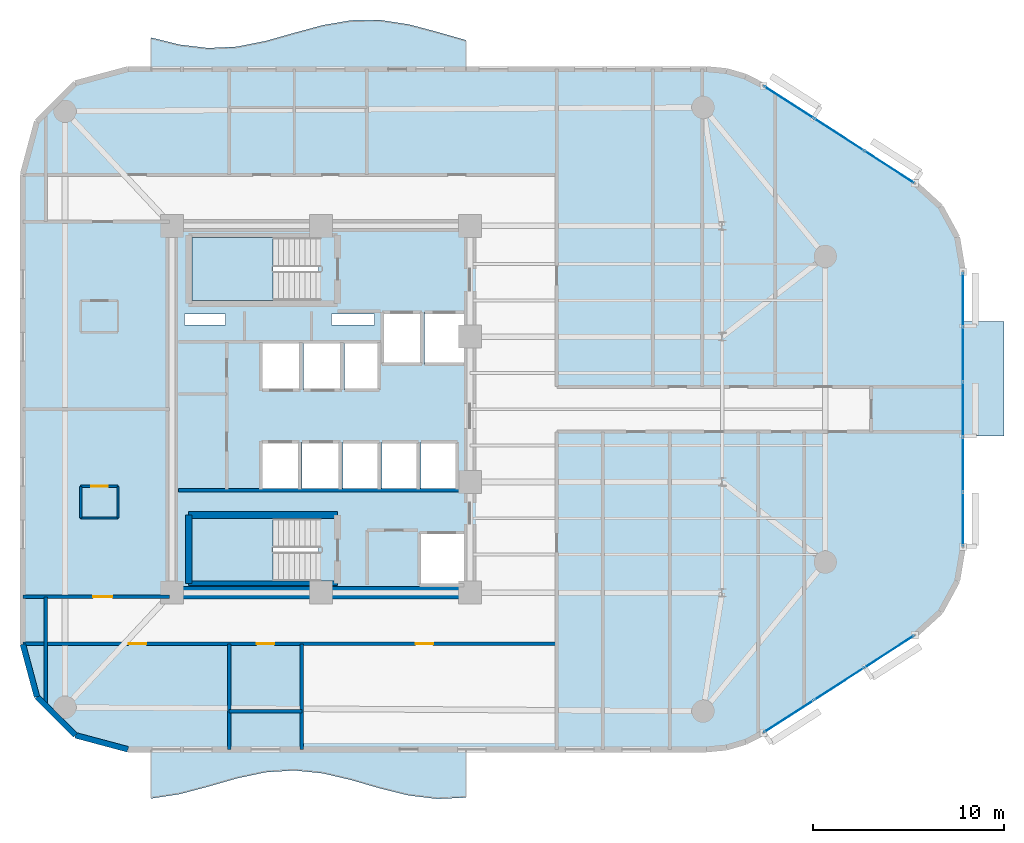
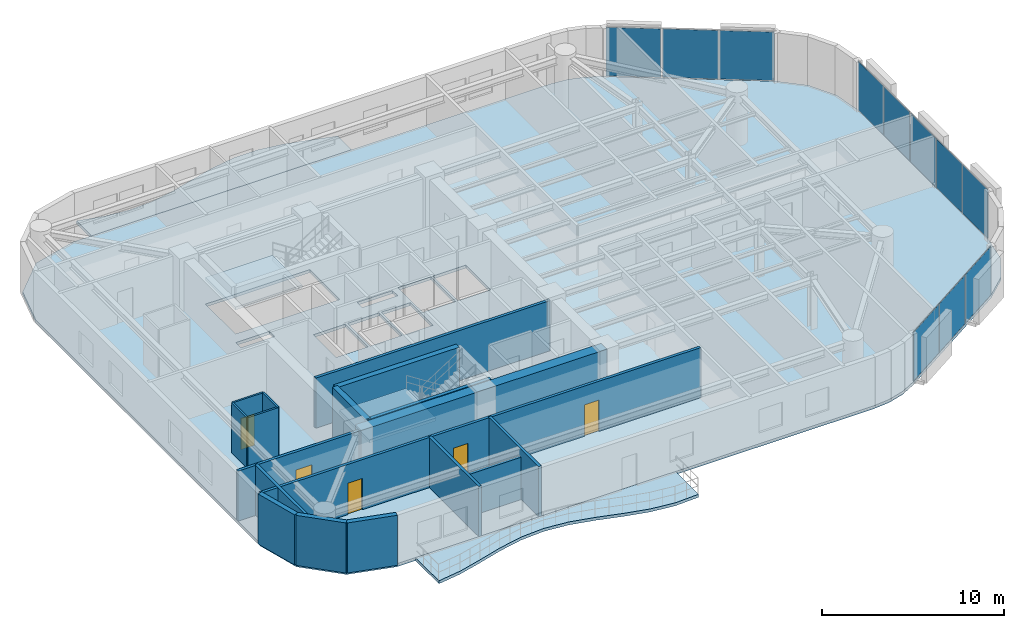
# One storey, part 9 of 15: 18 walls, 11 plates, 6 slabs, 5 doors, 5 openings, 5 elements without a shape of their own.
"""IFC4 building model written with IfcOpenShell, lengths in metres."""

from ifc_helpers import new_model, si_unit, direction, frame, frame_2d, origin, origin_2d, place, context, subcontext, project, spatial, polyline, rectangle, outline, extrude, material, layer, layer_set, type_object, element, fill, aggregate, save


model = new_model("IFC4")

# Units and contexts
model_context = context("Model", 3, precision=1e-05, world=origin(), true_north=direction((0.0, 1.0)))
body_context = subcontext(model_context, "Body", "Model", "MODEL_VIEW")
ifc_project = project(units=[si_unit("LENGTHUNIT", "METRE"), si_unit("AREAUNIT", "SQUARE_METRE"), si_unit("VOLUMEUNIT", "CUBIC_METRE"), si_unit("PLANEANGLEUNIT", "RADIAN"), si_unit("MASSUNIT", "GRAM", prefix="KILO")], contexts=[model_context])

# Site, building, storey
site_placement = place(None, origin())
site = spatial("IfcSite", under=ifc_project, at=site_placement, CompositionType="ELEMENT")
building_placement = place(site_placement, origin())
building = spatial("IfcBuilding", under=site, at=building_placement, Name="An Khanh Terracotta Commons", CompositionType="ELEMENT")
storey_placement = place(building_placement, frame((0.0, 0.0, 187.0)))
storey = spatial("IfcBuildingStorey", under=building, at=storey_placement, Name="L49", CompositionType="ELEMENT", Elevation=187.0)

# Curtain wall, plates
ifc_material_1 = material(Name="Anodised Aluminium 6063-T6", Category="aluminium")
ifc_layer_1 = layer(ifc_material_1, 0.2099609375, Name="Anodised Aluminium 6063-T6")
ifc_layer_set_1 = layer_set([ifc_layer_1], Name="Anodised Aluminium 6063-T6")
curtain_wall_type = type_object("IfcCurtainWallType", Name="CW-SYS-03", PredefinedType="USERDEFINED", material=ifc_layer_set_1)
curtain_wall_1_placement = place(storey_placement, origin())
curtain_wall_1 = element("IfcCurtainWall", 1, at=curtain_wall_1_placement, inside=storey, type_object=curtain_wall_type, Name="L49 CW-03 Unitised Curtain Wall CW-L49-08", ObjectType="UNITISED CURTAIN WALL", PredefinedType="USERDEFINED")
ifc_material_2 = material(Name="Acoustic Laminated Low-E Glazing", Category="glass")
ifc_layer_2 = layer(ifc_material_2, 0.035888671875, Name="Acoustic Laminated Low-E Glazing")
ifc_layer_set_2 = layer_set([ifc_layer_2], Name="Acoustic Laminated Low-E Glazing")
plate_type = type_object("IfcPlateType", Name="CWP-IGU-36", PredefinedType="CURTAIN_PANEL", material=ifc_layer_set_2)
plate_1_placement = place(storey_placement, frame((53.894287109375, 7.935546875, 0.0498046875), z_axis=(0.0, 0.0, 1.0), x_axis=(0.840702081986, 0.541497931062, 0.0)))
plate_1 = element("IfcPlate", 2, at=plate_1_placement, type_object=plate_type, Name="CW-03 panel 1.1", PredefinedType="CURTAIN_PANEL", context=body_context, shape_type="SweptSolid", body=[
    extrude(rectangle(XDim=3.034423828125, YDim=0.035888671875, at=origin_2d()), origin(), (0.0, 0.0, 1.0), 3.260009765625),
])
plate_2_placement = place(storey_placement, frame((56.51904296875, 9.6259765625, 0.0498046875), z_axis=(0.0, 0.0, 1.0), x_axis=(0.840702081986, 0.541497931062, 0.0)))
plate_2 = element("IfcPlate", 3, at=plate_2_placement, type_object=plate_type, Name="CW-03 panel 2.1", PredefinedType="CURTAIN_PANEL", context=body_context, shape_type="SweptSolid", body=[
    extrude(rectangle(XDim=3.0693359375, YDim=0.035888671875, at=origin_2d()), origin(), (0.0, 0.0, 1.0), 3.260009765625),
])
plate_3_placement = place(storey_placement, frame((59.1435546875, 11.31640625, 0.0498046875), z_axis=(0.0, 0.0, 1.0), x_axis=(0.840702081986, 0.541497931062, 0.0)))
plate_3 = element("IfcPlate", 4, at=plate_3_placement, type_object=plate_type, Name="CW-03 panel 3.1", PredefinedType="CURTAIN_PANEL", context=body_context, shape_type="SweptSolid", body=[
    extrude(rectangle(XDim=3.034423828125, YDim=0.035888671875, at=origin_2d()), origin(), (0.0, 0.0, 1.0), 3.260009765625),
])
aggregate(curtain_wall_1, [plate_1, plate_2, plate_3])

curtain_wall_2_placement = place(storey_placement, origin())
curtain_wall_2 = element("IfcCurtainWall", 5, at=curtain_wall_2_placement, inside=storey, type_object=curtain_wall_type, Name="L49 CW-03 Unitised Curtain Wall CW-L49-12", ObjectType="UNITISED CURTAIN WALL", PredefinedType="USERDEFINED")
plate_4_placement = place(storey_placement, frame((63.0, 18.257568359375, 0.0498046875), z_axis=(0.0, 0.0, 1.0), x_axis=(0.0, 1.0, 0.0)))
plate_4 = element("IfcPlate", 6, at=plate_4_placement, type_object=plate_type, Name="CW-03 panel 1.1", PredefinedType="CURTAIN_PANEL", context=body_context, shape_type="SweptSolid", body=[
    extrude(rectangle(XDim=2.77490234375, YDim=0.035888671875, at=origin_2d()), origin(), (0.0, 0.0, 1.0), 3.260009765625),
])
plate_5_placement = place(storey_placement, frame((63.0, 21.1201171875, 0.0498046875), z_axis=(0.0, 0.0, 1.0), x_axis=(0.0, 1.0, 0.0)))
plate_5 = element("IfcPlate", 7, at=plate_5_placement, type_object=plate_type, Name="CW-03 panel 2.1", PredefinedType="CURTAIN_PANEL", context=body_context, shape_type="SweptSolid", body=[
    extrude(rectangle(XDim=2.81005859375, YDim=0.035888671875, at=origin_2d()), origin(), (0.0, 0.0, 1.0), 3.260009765625),
])
plate_6_placement = place(storey_placement, frame((63.0, 24.0, 0.0498046875), z_axis=(0.0, 0.0, 1.0), x_axis=(0.0, 1.0, 0.0)))
plate_6 = element("IfcPlate", 8, at=plate_6_placement, type_object=plate_type, Name="CW-03 panel 3.1", PredefinedType="CURTAIN_PANEL", context=body_context, shape_type="SweptSolid", body=[
    extrude(rectangle(XDim=2.81005859375, YDim=0.035888671875, at=origin_2d()), origin(), (0.0, 0.0, 1.0), 3.260009765625),
])
plate_7_placement = place(storey_placement, frame((63.0, 26.8798828125, 0.0498046875), z_axis=(0.0, 0.0, 1.0), x_axis=(0.0, 1.0, 0.0)))
plate_7 = element("IfcPlate", 9, at=plate_7_placement, type_object=plate_type, Name="CW-03 panel 4.1", PredefinedType="CURTAIN_PANEL", context=body_context, shape_type="SweptSolid", body=[
    extrude(rectangle(XDim=2.81005859375, YDim=0.035888671875, at=origin_2d()), origin(), (0.0, 0.0, 1.0), 3.260009765625),
])
plate_8_placement = place(storey_placement, frame((63.0, 29.742431640625, 0.0498046875), z_axis=(0.0, 0.0, 1.0), x_axis=(0.0, 1.0, 0.0)))
plate_8 = element("IfcPlate", 10, at=plate_8_placement, type_object=plate_type, Name="CW-03 panel 5.1", PredefinedType="CURTAIN_PANEL", context=body_context, shape_type="SweptSolid", body=[
    extrude(rectangle(XDim=2.77490234375, YDim=0.035888671875, at=origin_2d()), origin(), (0.0, 0.0, 1.0), 3.260009765625),
])
aggregate(curtain_wall_2, [plate_4, plate_5, plate_6, plate_7, plate_8])

curtain_wall_3_placement = place(storey_placement, origin())
curtain_wall_3 = element("IfcCurtainWall", 11, at=curtain_wall_3_placement, inside=storey, type_object=curtain_wall_type, Name="L49 CW-03 Unitised Curtain Wall CW-L49-16", ObjectType="UNITISED CURTAIN WALL", PredefinedType="USERDEFINED")
plate_9_placement = place(storey_placement, frame((59.1435546875, 36.68359375, 0.0498046875), z_axis=(0.0, 0.0, 1.0), x_axis=(-0.840702081986, 0.541497931062, 0.0)))
plate_9 = element("IfcPlate", 12, at=plate_9_placement, type_object=plate_type, Name="CW-03 panel 1.1", PredefinedType="CURTAIN_PANEL", context=body_context, shape_type="SweptSolid", body=[
    extrude(rectangle(XDim=3.034423828125, YDim=0.035888671875, at=origin_2d()), origin(), (0.0, 0.0, 1.0), 3.260009765625),
])
plate_10_placement = place(storey_placement, frame((56.51904296875, 38.3740234375, 0.0498046875), z_axis=(0.0, 0.0, 1.0), x_axis=(-0.840702081986, 0.541497931062, 0.0)))
plate_10 = element("IfcPlate", 13, at=plate_10_placement, type_object=plate_type, Name="CW-03 panel 2.1", PredefinedType="CURTAIN_PANEL", context=body_context, shape_type="SweptSolid", body=[
    extrude(rectangle(XDim=3.0693359375, YDim=0.035888671875, at=origin_2d()), origin(), (0.0, 0.0, 1.0), 3.260009765625),
])
plate_11_placement = place(storey_placement, frame((53.894287109375, 40.064453125, 0.0498046875), z_axis=(0.0, 0.0, 1.0), x_axis=(-0.840702081986, 0.541497931062, 0.0)))
plate_11 = element("IfcPlate", 14, at=plate_11_placement, type_object=plate_type, Name="CW-03 panel 3.1", PredefinedType="CURTAIN_PANEL", context=body_context, shape_type="SweptSolid", body=[
    extrude(rectangle(XDim=3.034423828125, YDim=0.035888671875, at=origin_2d()), origin(), (0.0, 0.0, 1.0), 3.260009765625),
])
aggregate(curtain_wall_3, [plate_9, plate_10, plate_11])

# Slabs
ifc_material_3 = material(Name="Concrete C40/50", Category="concrete")
ifc_layer_3 = layer(ifc_material_3, 0.199951171875, Name="Concrete C40/50")
ifc_layer_set_3 = layer_set([ifc_layer_3], Name="Concrete C40/50")
slab_type_1 = type_object("IfcSlabType", Name="SLAB-BALC-200", PredefinedType="FLOOR", material=ifc_layer_set_3)
slab_1_placement = place(storey_placement, frame((0.0, 0.0, -0.199951171875)))
element("IfcSlab", 15, at=slab_1_placement, inside=storey, type_object=slab_type_1, Name="L49 S Sinusoidal Wave Balcony Slab", PredefinedType="FLOOR", context=body_context, shape_type="SweptSolid", body=[
    extrude(outline(polyline([(20.5, 6.199951171875), (20.5, 3.6259765625), (22.0, 3.85498046875), (23.5, 4.251953125), (25.0, 4.681884765625), (26.5, 5.0), (28.0, 5.097900390625), (29.5, 4.945068359375), (31.0, 4.591064453125), (32.5, 4.156005859375), (34.0, 3.785888671875), (35.5, 3.60595703125), (37.0, 3.677001953125), (37.0, 6.199951171875), (20.5, 6.199951171875)])), origin(), (0.0, 0.0, 1.0), 0.199951171875),
])
slab_2_placement = place(storey_placement, frame((0.0, 0.0, -0.199951171875)))
element("IfcSlab", 16, at=slab_2_placement, inside=storey, type_object=slab_type_1, Name="L49 N Sinusoidal Wave Balcony Slab", PredefinedType="FLOOR", context=body_context, shape_type="SweptSolid", body=[
    extrude(outline(polyline([(37.0, 41.800048828125), (37.0, 43.318115234375), (35.5, 43.748046875), (34.0, 44.14501953125), (32.5, 44.3740234375), (31.0, 44.360107421875), (29.5, 44.10693359375), (28.0, 43.698974609375), (26.5, 43.27490234375), (25.0, 42.97705078125), (23.5, 42.906005859375), (22.0, 43.0859375), (20.5, 43.4560546875), (20.5, 41.800048828125), (37.0, 41.800048828125)])), origin(), (0.0, 0.0, 1.0), 0.199951171875),
])
ifc_layer_4 = layer(ifc_material_3, 0.22998046875, Name="Concrete C40/50")
ifc_layer_set_4 = layer_set([ifc_layer_4], Name="Concrete C40/50")
slab_type_2 = type_object("IfcSlabType", Name="SLAB-BOXROOF-230", PredefinedType="ROOF", material=ifc_layer_set_4)
slab_3_placement = place(storey_placement, frame((0.0, 0.0, -0.199951171875)))
element("IfcSlab", 17, at=slab_3_placement, inside=storey, type_object=slab_type_2, Name="L49 Shifted Social Kitchen Box Closing Roof Slab (L48)", PredefinedType="ROOF", context=body_context, shape_type="SweptSolid", body=[
    extrude(outline(polyline([(63.0, 22.60009765625), (65.14990234375, 22.60009765625), (65.14990234375, 28.60009765625), (63.0, 28.60009765625), (63.0, 22.60009765625)])), origin(), (0.0, 0.0, 1.0), 0.199951171875),
])

# Stair, slab
ifc_material_4 = material(Name="Precast concrete C40/50", Category="concrete")
stair_type = type_object("IfcStairType", Name="STAIR-CORE-1550", PredefinedType="HALF_TURN_STAIR", material=ifc_material_4)
stair_1_placement = place(storey_placement, origin())
stair_1 = element("IfcStair", 18, at=stair_1_placement, inside=storey, type_object=stair_type, Name="L49 Core Smokeproof Exit Stair ST-01", PredefinedType="HALF_TURN_STAIR")
ifc_layer_5 = layer(ifc_material_3, 0.18994140625, Name="Concrete C40/50")
ifc_layer_set_5 = layer_set([ifc_layer_5], Name="Concrete C40/50")
slab_type_3 = type_object("IfcSlabType", Name="SLAB-LANDING-190", PredefinedType="LANDING", material=ifc_layer_set_5)
slab_4_placement = place(storey_placement, frame((0.0, 0.0, 1.60009765625)))
slab_4 = element("IfcSlab", 19, at=slab_4_placement, type_object=slab_type_3, Name="ST-01 landing 1", PredefinedType="LANDING", context=body_context, shape_type="SweptSolid", body=[
    extrude(outline(polyline([(26.889892578125, 33.0), (22.64990234375, 33.0), (22.64990234375, 29.699951171875), (26.889892578125, 29.699951171875), (26.889892578125, 33.0)])), origin(), (0.0, 0.0, 1.0), 0.199951171875),
])
aggregate(stair_1, [slab_4])

stair_2_placement = place(storey_placement, origin())
stair_2 = element("IfcStair", 20, at=stair_2_placement, inside=storey, type_object=stair_type, Name="L49 Core Smokeproof Exit Stair ST-02", PredefinedType="HALF_TURN_STAIR")
slab_5_placement = place(storey_placement, frame((0.0, 0.0, 1.60009765625)))
slab_5 = element("IfcSlab", 21, at=slab_5_placement, type_object=slab_type_3, Name="ST-02 landing 1", PredefinedType="LANDING", context=body_context, shape_type="SweptSolid", body=[
    extrude(outline(polyline([(26.889892578125, 18.300048828125), (22.64990234375, 18.300048828125), (22.64990234375, 15.0), (26.889892578125, 15.0), (26.889892578125, 18.300048828125)])), origin(), (0.0, 0.0, 1.0), 0.199951171875),
])
aggregate(stair_2, [slab_5])

# Slab
ifc_layer_6 = layer(ifc_material_3, 0.199951171875, Name="Concrete C40/50")
ifc_layer_set_6 = layer_set([ifc_layer_6], Name="Concrete C40/50")
slab_type_4 = type_object("IfcSlabType", Name="SLAB-TYP-200", PredefinedType="FLOOR", material=ifc_layer_set_6)
slab_6_placement = place(storey_placement, frame((0.0, 0.0, -0.199951171875)))
element("IfcSlab", 22, at=slab_6_placement, inside=storey, type_object=slab_type_4, Name="L49 Structural Floor Slab", PredefinedType="FLOOR", context=body_context, shape_type="SweptSolid", body=[
    extrude(outline(polyline([(13.800048828125, 11.699951171875), (14.537109375, 8.949951171875), (16.550048828125, 6.93701171875), (19.300048828125, 6.199951171875), (49.58203125, 6.199951171875), (50.625, 6.300048828125), (51.6298828125, 6.594970703125), (52.56005859375, 7.075927734375), (60.47802734375, 12.176025390625), (61.825927734375, 13.403076171875), (62.697998046875, 15.0029296875), (63.0, 16.800048828125), (63.0, 31.199951171875), (62.697998046875, 32.9970703125), (61.825927734375, 34.596923828125), (60.47802734375, 35.823974609375), (52.56005859375, 40.924072265625), (51.6298828125, 41.405029296875), (50.625, 41.699951171875), (49.58203125, 41.800048828125), (19.300048828125, 41.800048828125), (16.550048828125, 41.06298828125), (14.537109375, 39.050048828125), (13.800048828125, 36.300048828125), (13.800048828125, 11.699951171875)]), holes=[polyline([(22.64990234375, 29.699951171875), (29.27001953125, 29.699951171875), (29.27001953125, 33.0), (22.64990234375, 33.0), (22.64990234375, 29.699951171875)]), polyline([(22.64990234375, 15.0), (29.27001953125, 15.0), (29.27001953125, 18.300048828125), (22.64990234375, 18.300048828125), (22.64990234375, 15.0)]), polyline([(32.60009765625, 26.35009765625), (34.679931640625, 26.35009765625), (34.679931640625, 29.080078125), (32.60009765625, 29.080078125), (32.60009765625, 26.35009765625)]), polyline([(34.820068359375, 26.35009765625), (36.89990234375, 26.35009765625), (36.89990234375, 29.080078125), (34.820068359375, 29.080078125), (34.820068359375, 26.35009765625)]), polyline([(34.550048828125, 14.800048828125), (36.89990234375, 14.800048828125), (36.89990234375, 17.550048828125), (34.550048828125, 17.550048828125), (34.550048828125, 14.800048828125)]), polyline([(26.320068359375, 25.0), (28.340087890625, 25.0), (28.340087890625, 27.5), (26.320068359375, 27.5), (26.320068359375, 25.0)]), polyline([(28.47998046875, 25.0), (30.5, 25.0), (30.5, 27.5), (28.47998046875, 27.5), (28.47998046875, 25.0)]), polyline([(26.280029296875, 19.800048828125), (28.280029296875, 19.800048828125), (28.280029296875, 22.300048828125), (26.280029296875, 22.300048828125), (26.280029296875, 19.800048828125)]), polyline([(28.419921875, 19.800048828125), (30.419921875, 19.800048828125), (30.419921875, 22.300048828125), (28.419921875, 22.300048828125), (28.419921875, 19.800048828125)]), polyline([(30.639892578125, 25.0), (32.4599609375, 25.0), (32.4599609375, 27.5), (30.639892578125, 27.5), (30.639892578125, 25.0)]), polyline([(30.56005859375, 19.800048828125), (32.4599609375, 19.800048828125), (32.4599609375, 22.300048828125), (30.56005859375, 22.300048828125), (30.56005859375, 19.800048828125)]), polyline([(32.60009765625, 19.800048828125), (34.5, 19.800048828125), (34.5, 22.300048828125), (32.60009765625, 22.300048828125), (32.60009765625, 19.800048828125)]), polyline([(34.639892578125, 19.800048828125), (36.5400390625, 19.800048828125), (36.5400390625, 22.300048828125), (34.639892578125, 22.300048828125), (34.639892578125, 19.800048828125)]), polyline([(22.25, 28.419921875), (24.39990234375, 28.419921875), (24.39990234375, 28.97998046875), (22.25, 28.97998046875), (22.25, 28.419921875)]), polyline([(29.949951171875, 28.419921875), (32.199951171875, 28.419921875), (32.199951171875, 28.97998046875), (29.949951171875, 28.97998046875), (29.949951171875, 28.419921875)])]), origin(), (0.0, 0.0, 1.0), 0.199951171875),
])

# Walls
ifc_material_5 = material(Name="Concrete C60/75", Category="concrete")
ifc_layer_7 = layer(ifc_material_5, 0.64990234375, Name="Concrete C60/75")
ifc_layer_set_7 = layer_set([ifc_layer_7], Name="Concrete C60/75")
wall_type_1 = type_object("IfcWallType", Name="WALL-CORE-650", PredefinedType="SHEAR", material=ifc_layer_set_7)
wall_1_placement = place(storey_placement, frame((37.199951171875, 14.39990234375, 0.0), z_axis=(0.0, 0.0, 1.0), x_axis=(-1.0, 0.0, 0.0)))
element("IfcWall", 23, at=wall_1_placement, inside=storey, type_object=wall_type_1, Name="L49 Core Wall CWALL-L49-S", PredefinedType="SHEAR", context=body_context, shape_type="SweptSolid", body=[
    extrude(rectangle(XDim=15.599853515625, YDim=0.64990234375, at=frame_2d((7.7998046875, 0.0))), origin(), (0.0, 0.0, 1.0), 3.360107421875),
])
ifc_material_6 = material(Name="Fire-Rated Gypsum Board on Steel Stud", Category="steel")
ifc_layer_8 = layer(ifc_material_6, 0.179931640625, Name="Fire-Rated Gypsum Board on Steel Stud")
ifc_layer_set_8 = layer_set([ifc_layer_8], Name="Fire-Rated Gypsum Board on Steel Stud")
wall_type_2 = type_object("IfcWallType", Name="WALL-CORR-180", PredefinedType="PARTITIONING", material=ifc_layer_set_8)
wall_2_placement = place(storey_placement, frame((21.949951171875, 19.760009765625, 0.0), z_axis=(0.0, 0.0, 1.0), x_axis=(1.0, 0.0, 0.0)))
element("IfcWall", 24, at=wall_2_placement, inside=storey, type_object=wall_type_2, Name="L49 Core Wall SVW-L49-N", PredefinedType="PARTITIONING", context=body_context, shape_type="SweptSolid", body=[
    extrude(rectangle(XDim=14.8701171875, YDim=0.179931640625, at=frame_2d((7.43505859375, 0.0))), origin(), (0.0, 0.0, 1.0), 3.360107421875),
])
wall_3_placement = place(storey_placement, frame((24.60009765625, 8.199951171875, 0.0), z_axis=(0.0, 0.0, 1.0), x_axis=(1.0, 0.0, 0.0)))
element("IfcWall", 25, at=wall_3_placement, inside=storey, type_object=wall_type_2, Name="L49 Interior Partition IW-L49-E001", PredefinedType="PARTITIONING", context=body_context, shape_type="SweptSolid", body=[
    extrude(rectangle(XDim=3.7998046875, YDim=0.179931640625, at=frame_2d((1.89990234375, 0.0))), origin(), (0.0, 0.0, 1.0), 2.842041015625),
])

# Wall, openings, doors
wall_4_placement = place(storey_placement, frame((13.800048828125, 11.719970703125, 0.0), z_axis=(0.0, 0.0, 1.0), x_axis=(1.0, 0.0, 0.0)))
wall_4 = element("IfcWall", 26, at=wall_4_placement, inside=storey, type_object=wall_type_2, Name="L49 Interior Partition IW-L49-E002", PredefinedType="PARTITIONING", context=body_context, shape_type="SweptSolid", body=[
    extrude(rectangle(XDim=27.949951171875, YDim=0.179931640625, at=frame_2d((13.97509765625, 0.0))), origin(), (0.0, 0.0, 1.0), 3.360107421875),
])
opening_1_placement = place(wall_4_placement, frame((12.239990234375, 0.0, 0.0)))
opening_1 = element("IfcOpeningElement", 27, at=opening_1_placement, cuts=wall_4, Name="Opening D-RM", PredefinedType="OPENING", context=body_context, shape_type="SweptSolid", body=[
    extrude(rectangle(XDim=0.919921875, YDim=2.10009765625, at=frame_2d((0.4599609375, 1.050048828125))), frame((0.0, 0.099853515625, 0.0), z_axis=(0.0, -1.0, 0.0), x_axis=(1.0, 0.0, 0.0)), (0.0, 0.0, 1.0), 0.199951171875),
])
opening_2_placement = place(wall_4_placement, frame((5.5400390625, 0.0, 0.0)))
opening_2 = element("IfcOpeningElement", 28, at=opening_2_placement, cuts=wall_4, Name="Opening D-RM", PredefinedType="OPENING", context=body_context, shape_type="SweptSolid", body=[
    extrude(rectangle(XDim=0.919921875, YDim=2.10009765625, at=frame_2d((0.4599609375, 1.050048828125))), frame((0.0, 0.099853515625, 0.0), z_axis=(0.0, -1.0, 0.0), x_axis=(1.0, 0.0, 0.0)), (0.0, 0.0, 1.0), 0.199951171875),
])
opening_3_placement = place(wall_4_placement, frame((20.554931640625, 0.0, 0.0)))
opening_3 = element("IfcOpeningElement", 29, at=opening_3_placement, cuts=wall_4, Name="Opening D-RM", PredefinedType="OPENING", context=body_context, shape_type="SweptSolid", body=[
    extrude(rectangle(XDim=0.919921875, YDim=2.10009765625, at=frame_2d((0.4599609375, 1.050048828125))), frame((0.0, 0.099853515625, 0.0), z_axis=(0.0, -1.0, 0.0), x_axis=(1.0, 0.0, 0.0)), (0.0, 0.0, 1.0), 0.199951171875),
])
ifc_material_7 = material(Name="Engineered Hardwood Timber Leaf", Category="wood")
door_type_1 = type_object("IfcDoorType", Name="DOOR-INT-920", OperationType="NOTDEFINED", PredefinedType="DOOR", material=ifc_material_7)
door_1_placement = place(opening_1_placement, origin())
door_1 = element("IfcDoor", 30, at=door_1_placement, inside=storey, type_object=door_type_1, Name="L49 HKP Housekeeping Linen Store Door", OperationType="SINGLE_SWING_LEFT", OverallHeight=2.10009765625, OverallWidth=0.919921875, PredefinedType="DOOR", context=body_context, shape_type="SweptSolid", body=[
    extrude(rectangle(XDim=0.919921875, YDim=2.10009765625, at=frame_2d((0.4599609375, 1.050048828125))), frame((0.0, 0.02490234375, 0.0), z_axis=(0.0, -1.0, 0.0), x_axis=(1.0, 0.0, 0.0)), (0.0, 0.0, 1.0), 0.050048828125),
])
fill(opening_1, door_1)
door_2_placement = place(opening_2_placement, origin())
door_2 = element("IfcDoor", 31, at=door_2_placement, inside=storey, type_object=door_type_1, Name="L49 SW1 Communal Kitchen and Dining Door", OperationType="SINGLE_SWING_RIGHT", OverallHeight=2.10009765625, OverallWidth=0.919921875, PredefinedType="DOOR", context=body_context, shape_type="SweptSolid", body=[
    extrude(rectangle(XDim=0.919921875, YDim=2.10009765625, at=frame_2d((0.4599609375, 1.050048828125))), frame((0.0, 0.02490234375, 0.0), z_axis=(0.0, -1.0, 0.0), x_axis=(1.0, 0.0, 0.0)), (0.0, 0.0, 1.0), 0.050048828125),
])
fill(opening_2, door_2)
door_3_placement = place(opening_3_placement, origin())
door_3 = element("IfcDoor", 32, at=door_3_placement, inside=storey, type_object=door_type_1, Name="L49 SWE Music Lounge Door", OperationType="SINGLE_SWING_LEFT", OverallHeight=2.10009765625, OverallWidth=0.919921875, PredefinedType="DOOR", context=body_context, shape_type="SweptSolid", body=[
    extrude(rectangle(XDim=0.919921875, YDim=2.10009765625, at=frame_2d((0.4599609375, 1.050048828125))), frame((0.0, 0.02490234375, 0.0), z_axis=(0.0, -1.0, 0.0), x_axis=(1.0, 0.0, 0.0)), (0.0, 0.0, 1.0), 0.050048828125),
])
fill(opening_3, door_3)

# Wall, opening, door
wall_5_placement = place(storey_placement, frame((13.800048828125, 14.179931640625, 0.0), z_axis=(0.0, 0.0, 1.0), x_axis=(1.0, 0.0, 0.0)))
wall_5 = element("IfcWall", 33, at=wall_5_placement, inside=storey, type_object=wall_type_2, Name="L49 Interior Partition IW-L49-E003", PredefinedType="PARTITIONING", context=body_context, shape_type="SweptSolid", body=[
    extrude(rectangle(XDim=7.679931640625, YDim=0.179931640625, at=frame_2d((3.83984375, 0.0))), origin(), (0.0, 0.0, 1.0), 3.360107421875),
])
opening_4_placement = place(wall_5_placement, frame((3.679931640625, 0.0, 0.0)))
opening_4 = element("IfcOpeningElement", 34, at=opening_4_placement, cuts=wall_5, Name="Opening D-UN", PredefinedType="OPENING", context=body_context, shape_type="SweptSolid", body=[
    extrude(rectangle(XDim=1.0, YDim=2.14990234375, at=frame_2d((0.5, 1.074951171875))), frame((0.0, 0.099853515625, 0.0), z_axis=(0.0, -1.0, 0.0), x_axis=(1.0, 0.0, 0.0)), (0.0, 0.0, 1.0), 0.199951171875),
])
ifc_material_8 = material(Name="Solid-Core Hardwood Acoustic Fire Door", Category="wood")
door_type_2 = type_object("IfcDoorType", Name="DOOR-UNIT-1000", OperationType="NOTDEFINED", PredefinedType="DOOR", material=ifc_material_8)
door_4_placement = place(opening_4_placement, origin())
door_4 = element("IfcDoor", 35, at=door_4_placement, inside=storey, type_object=door_type_2, Name="L49 WW1 Kitchenette and Studio Apartment Door", OperationType="SINGLE_SWING_RIGHT", OverallHeight=2.14990234375, OverallWidth=1.0, PredefinedType="DOOR", context=body_context, shape_type="SweptSolid", body=[
    extrude(rectangle(XDim=1.0, YDim=2.14990234375, at=frame_2d((0.5, 1.074951171875))), frame((0.0, 0.02490234375, 0.0), z_axis=(0.0, -1.0, 0.0), x_axis=(1.0, 0.0, 0.0)), (0.0, 0.0, 1.0), 0.050048828125),
])
fill(opening_4, door_4)

# Walls
wall_6_placement = place(storey_placement, frame((15.0, 8.487060546875, 0.0), z_axis=(0.0, 0.0, 1.0), x_axis=(0.0, 1.0, 0.0)))
element("IfcWall", 36, at=wall_6_placement, inside=storey, type_object=wall_type_2, Name="L49 Interior Partition IW-L49-E010", PredefinedType="PARTITIONING", context=body_context, shape_type="SweptSolid", body=[
    extrude(rectangle(XDim=5.69287109375, YDim=0.179931640625, at=frame_2d((2.846435546875, 0.0))), origin(), (0.0, 0.0, 1.0), 3.360107421875),
])
for number, where, z_axis, x_axis, name in (
    (37, (24.60009765625, 6.199951171875, 0.0), (0.0, 0.0, 1.0), (0.0, 1.0, 0.0), "L49 Interior Partition IW-L49-E012"),
    (38, (28.39990234375, 6.199951171875, 0.0), (0.0, 0.0, 1.0), (0.0, 1.0, 0.0), "L49 Interior Partition IW-L49-E015"),
):
    element("IfcWall", number, at=place(storey_placement, frame(where, z_axis=z_axis, x_axis=x_axis)), inside=storey, type_object=wall_type_2, Name=name, PredefinedType="PARTITIONING", context=body_context, shape_type="SweptSolid", body=[
        extrude(rectangle(XDim=5.52001953125, YDim=0.179931640625, at=frame_2d((2.760009765625, 0.0))), origin(), (0.0, 0.0, 1.0), 3.360107421875),
    ])
ifc_layer_9 = layer(ifc_material_4, 0.300048828125, Name="Precast concrete C40/50")
ifc_layer_set_9 = layer_set([ifc_layer_9], Name="Precast concrete C40/50")
wall_type_3 = type_object("IfcWallType", Name="WALL-EXT-300", PredefinedType="SOLIDWALL", material=ifc_layer_set_9)
wall_7_placement = place(storey_placement, frame((13.800048828125, 11.699951171875, 0.0), z_axis=(0.0, 0.0, 1.0), x_axis=(0.258884674387, -0.965908238586, 0.0)))
element("IfcWall", 39, at=wall_7_placement, inside=storey, type_object=wall_type_3, Name="L49 Insulated Terracotta Exterior Wall 1", PredefinedType="SOLIDWALL", context=body_context, shape_type="SweptSolid", body=[
    extrude(rectangle(XDim=2.84716796875, YDim=0.300048828125, at=frame_2d((1.423583984375, 0.0))), origin(), (0.0, 0.0, 1.0), 3.360107421875),
])
wall_8_placement = place(storey_placement, frame((14.537109375, 8.949951171875, 0.0), z_axis=(0.0, 0.0, 1.0), x_axis=(0.707106781187, -0.707106781187, 0.0)))
element("IfcWall", 40, at=wall_8_placement, inside=storey, type_object=wall_type_3, Name="L49 Insulated Terracotta Exterior Wall 2", PredefinedType="SOLIDWALL", context=body_context, shape_type="SweptSolid", body=[
    extrude(rectangle(XDim=2.8466796875, YDim=0.300048828125, at=frame_2d((1.42333984375, 0.0))), origin(), (0.0, 0.0, 1.0), 3.360107421875),
])
wall_9_placement = place(storey_placement, frame((16.550048828125, 6.93701171875, 0.0), z_axis=(0.0, 0.0, 1.0), x_axis=(0.965908238586, -0.258884674387, 0.0)))
element("IfcWall", 41, at=wall_9_placement, inside=storey, type_object=wall_type_3, Name="L49 Insulated Terracotta Exterior Wall 3", PredefinedType="SOLIDWALL", context=body_context, shape_type="SweptSolid", body=[
    extrude(rectangle(XDim=2.84716796875, YDim=0.300048828125, at=frame_2d((1.423583984375, 0.0))), origin(), (0.0, 0.0, 1.0), 3.360107421875),
])
ifc_material_9 = material(Name="Acoustic Double-Stud Gypsum and Mineral Wool")
ifc_layer_10 = layer(ifc_material_9, 0.219970703125, Name="Acoustic Double-Stud Gypsum and Mineral Wool")
ifc_layer_set_10 = layer_set([ifc_layer_10], Name="Acoustic Double-Stud Gypsum and Mineral Wool")
wall_type_4 = type_object("IfcWallType", Name="WALL-PARTY-220", PredefinedType="PARTITIONING", material=ifc_layer_set_10)
wall_10_placement = place(storey_placement, frame((22.47998046875, 14.889892578125, 0.0), z_axis=(0.0, 0.0, 1.0), x_axis=(1.0, 0.0, 0.0)))
element("IfcWall", 42, at=wall_10_placement, inside=storey, type_object=wall_type_4, Name="L49 Core Wall STW-L49-S-S", PredefinedType="PARTITIONING", context=body_context, shape_type="SweptSolid", body=[
    extrude(rectangle(XDim=7.7900390625, YDim=0.219970703125, at=frame_2d((3.89501953125, 0.0))), origin(), (0.0, 0.0, 1.0), 3.360107421875),
])
ifc_material_10 = material(Name="Concrete C50/60", Category="concrete")
ifc_layer_11 = layer(ifc_material_10, 0.35009765625, Name="Concrete C50/60")
ifc_layer_set_11 = layer_set([ifc_layer_11], Name="Concrete C50/60")
wall_type_5 = type_object("IfcWallType", Name="WALL-SHAFT-350", PredefinedType="SOLIDWALL", material=ifc_layer_set_11)
wall_11_placement = place(storey_placement, frame((22.47998046875, 18.469970703125, 0.0), z_axis=(0.0, 0.0, 1.0), x_axis=(1.0, 0.0, 0.0)))
element("IfcWall", 43, at=wall_11_placement, inside=storey, type_object=wall_type_5, Name="L49 Core Wall STW-L49-S-N", PredefinedType="SOLIDWALL", context=body_context, shape_type="SweptSolid", body=[
    extrude(rectangle(XDim=7.7900390625, YDim=0.35009765625, at=frame_2d((3.89501953125, 0.0))), origin(), (0.0, 0.0, 1.0), 3.360107421875),
])
wall_12_placement = place(storey_placement, frame((22.47998046875, 14.889892578125, 0.0), z_axis=(0.0, 0.0, 1.0), x_axis=(0.0, 1.0, 0.0)))
element("IfcWall", 44, at=wall_12_placement, inside=storey, type_object=wall_type_5, Name="L49 Core Wall STW-L49-S-W", PredefinedType="SOLIDWALL", context=body_context, shape_type="SweptSolid", body=[
    extrude(rectangle(XDim=3.580078125, YDim=0.35009765625, at=frame_2d((1.7900390625, 0.0))), origin(), (0.0, 0.0, 1.0), 3.360107421875),
])

# Wall, opening, door
ifc_material_11 = material(Name="Moisture-Resistant Cement Board Partition")
ifc_layer_12 = layer(ifc_material_11, 0.1201171875, Name="Moisture-Resistant Cement Board Partition")
ifc_layer_set_12 = layer_set([ifc_layer_12], Name="Moisture-Resistant Cement Board Partition")
wall_type_6 = type_object("IfcWallType", Name="WALL-WET-120", PredefinedType="PARTITIONING", material=ifc_layer_set_12)
wall_13_placement = place(storey_placement, frame((16.824951171875, 19.965087890625, 0.0), z_axis=(0.0, 0.0, 1.0), x_axis=(1.0, 0.0, 0.0)))
wall_13 = element("IfcWall", 45, at=wall_13_placement, inside=storey, type_object=wall_type_6, Name="L49 Interior Partition IW-L49-WW1-BN", PredefinedType="PARTITIONING", context=body_context, shape_type="SweptSolid", body=[
    extrude(rectangle(XDim=1.949951171875, YDim=0.1201171875, at=frame_2d((0.97509765625, 0.0))), origin(), (0.0, 0.0, 1.0), 3.360107421875),
])
opening_5_placement = place(wall_13_placement, frame((0.544921875, 0.0, 0.0)))
opening_5 = element("IfcOpeningElement", 46, at=opening_5_placement, cuts=wall_13, Name="Opening D-ENS", PredefinedType="OPENING", context=body_context, shape_type="SweptSolid", body=[
    extrude(rectangle(XDim=0.860107421875, YDim=2.10009765625, at=frame_2d((0.43017578125, 1.050048828125))), frame((0.0, 0.070068359375, 0.0), z_axis=(0.0, -1.0, 0.0), x_axis=(1.0, 0.0, 0.0)), (0.0, 0.0, 1.0), 0.14013671875),
])
ifc_material_12 = material(Name="Moisture-Resistant Hardwood Timber Leaf", Category="wood")
door_type_3 = type_object("IfcDoorType", Name="DOOR-BATH-860", OperationType="NOTDEFINED", PredefinedType="DOOR", material=ifc_material_12)
door_5_placement = place(opening_5_placement, origin())
door_5 = element("IfcDoor", 47, at=door_5_placement, inside=storey, type_object=door_type_3, Name="L49 Studio WW1 En-suite Door", OperationType="SINGLE_SWING_LEFT", OverallHeight=2.10009765625, OverallWidth=0.860107421875, PredefinedType="DOOR", context=body_context, shape_type="SweptSolid", body=[
    extrude(rectangle(XDim=0.860107421875, YDim=2.10009765625, at=frame_2d((0.43017578125, 1.050048828125))), frame((0.0, 0.02490234375, 0.0), z_axis=(0.0, -1.0, 0.0), x_axis=(1.0, 0.0, 0.0)), (0.0, 0.0, 1.0), 0.050048828125),
])
fill(opening_5, door_5)

# Walls
wall_14_placement = place(storey_placement, frame((18.77490234375, 18.31494140625, 0.0), z_axis=(0.0, 0.0, 1.0), x_axis=(-1.0, 0.0, 0.0)))
element("IfcWall", 48, at=wall_14_placement, inside=storey, type_object=wall_type_6, Name="L49 Interior Partition IW-L49-WW1-BS", PredefinedType="PARTITIONING", context=body_context, shape_type="SweptSolid", body=[
    extrude(rectangle(XDim=1.949951171875, YDim=0.1201171875, at=frame_2d((0.97509765625, 0.0))), origin(), (0.0, 0.0, 1.0), 3.360107421875),
])
for number, where, z_axis, x_axis, name in (
    (49, (16.824951171875, 19.965087890625, 0.0), (0.0, 0.0, 1.0), (0.0, -1.0, 0.0), "L49 Interior Partition IW-L49-WW1-BW"),
    (50, (18.77490234375, 18.31494140625, 0.0), (0.0, 0.0, 1.0), (0.0, 1.0, 0.0), "L49 Interior Partition IW-L49-WW1-BE"),
):
    element("IfcWall", number, at=place(storey_placement, frame(where, z_axis=z_axis, x_axis=x_axis)), inside=storey, type_object=wall_type_6, Name=name, PredefinedType="PARTITIONING", context=body_context, shape_type="SweptSolid", body=[
        extrude(rectangle(XDim=1.650146484375, YDim=0.1201171875, at=frame_2d((0.8251953125, 0.0))), origin(), (0.0, 0.0, 1.0), 3.360107421875),
    ])

save(model, "model.ifc")
